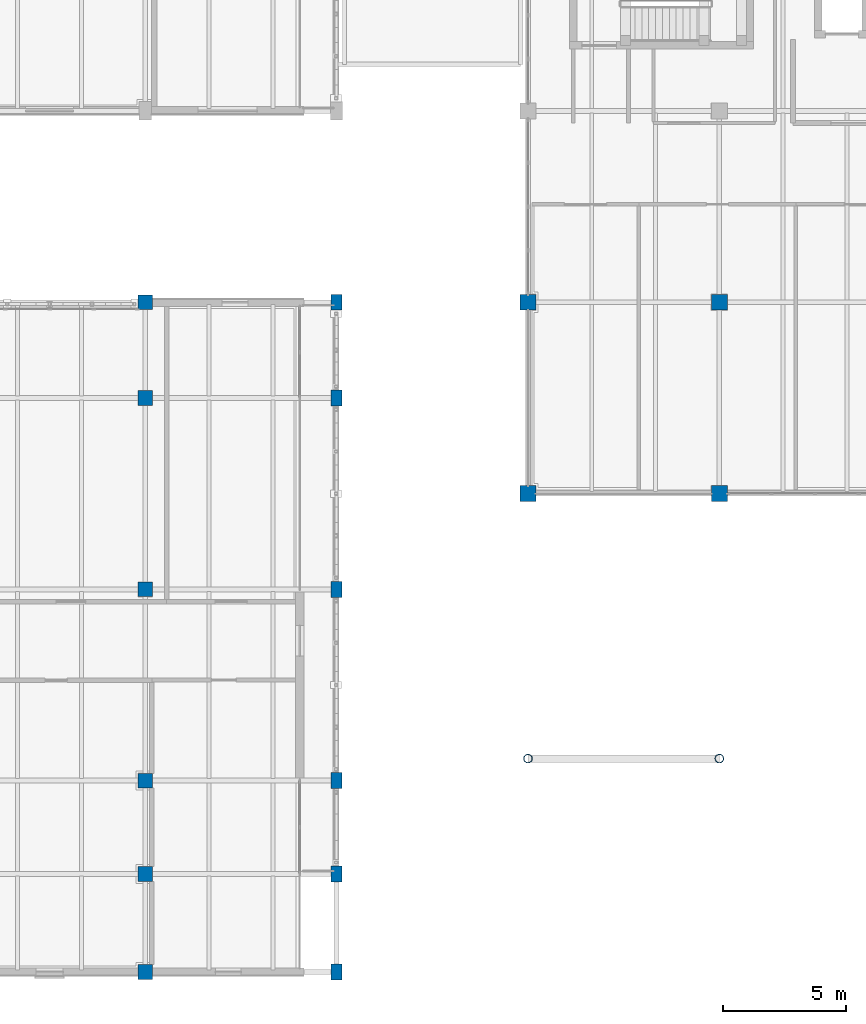
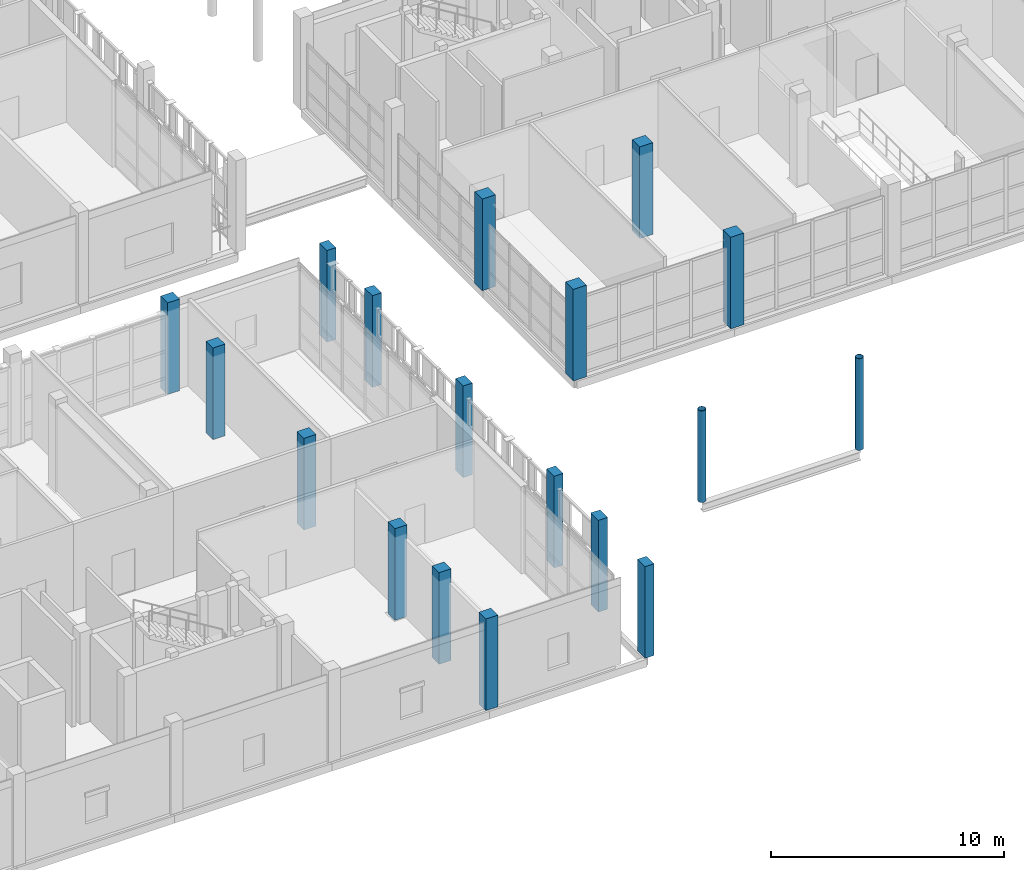
# One storey, part 3 of 138: 18 columns.
"""IFC4 building model written with IfcOpenShell, lengths in metres."""

from ifc_helpers import new_model, si_unit, direction, frame, origin, origin_2d, place, context, subcontext, project, spatial, rectangle, hollow_circle, extrude, material, material_profile, profile_set, type_object, element, save


model = new_model("IFC4")

# Units and contexts
model_context = context("Model", 3, precision=1e-05, world=origin(), true_north=direction((0.0, 1.0)))
body_context = subcontext(model_context, "Body", "Model", "MODEL_VIEW")
ifc_project = project(units=[si_unit("LENGTHUNIT", "METRE"), si_unit("AREAUNIT", "SQUARE_METRE"), si_unit("VOLUMEUNIT", "CUBIC_METRE"), si_unit("PLANEANGLEUNIT", "RADIAN"), si_unit("MASSUNIT", "GRAM", prefix="KILO")], contexts=[model_context])

# Site, building, storey
site_placement = place(None, origin())
site = spatial("IfcSite", under=ifc_project, at=site_placement, CompositionType="ELEMENT")
building_placement = place(site_placement, origin())
building = spatial("IfcBuilding", under=site, at=building_placement, Name="Celorna Specialist Clinic", CompositionType="ELEMENT")
storey_placement = place(building_placement, frame((0.0, 0.0, 4.800048828125)))
storey = spatial("IfcBuildingStorey", under=building, at=storey_placement, Name="L01", CompositionType="ELEMENT", Elevation=4.800048828125)

# Columns
ifc_material_1 = material(Name="Concrete C40/50", Category="concrete")
ifc_material_profile_1 = material_profile(ifc_material_1, rectangle(XDim=0.64990234375, YDim=0.64990234375, at=origin_2d()), Name="RC 650x650")
ifc_profile_set_1 = profile_set([ifc_material_profile_1], Name="Concrete C40/50")
column_type_1 = type_object("IfcColumnType", Name="CT-03", PredefinedType="COLUMN", material=ifc_profile_set_1)
for number, where, z_axis, x_axis, name in (
    (1, (54.60009765625, 19.5, 0.0), (0.0, 0.0, 1.0), (1.0, 0.0, 0.0), "Column CT-03 L01 X08/YE"),
    (2, (54.60009765625, 27.300048828125, 0.0), (0.0, 0.0, 1.0), (1.0, 0.0, 0.0), "Column CT-03 L01 X08/YF"),
    (3, (62.39990234375, 19.5, 0.0), (0.0, 0.0, 1.0), (1.0, 0.0, 0.0), "Column CT-03 L01 X09/YE"),
    (4, (62.39990234375, 27.300048828125, 0.0), (0.0, 0.0, 1.0), (1.0, 0.0, 0.0), "Column CT-03 L01 X09/YF"),
):
    element("IfcColumn", number, at=place(storey_placement, frame(where, z_axis=z_axis, x_axis=x_axis)), inside=storey, type_object=column_type_1, Name=name, PredefinedType="COLUMN", context=body_context, shape_type="SweptSolid", body=[
        extrude(rectangle(XDim=0.64990234375, YDim=0.64990234375, at=origin_2d()), origin(), (0.0, 0.0, 1.0), 4.800048828125),
    ])
ifc_material_profile_2 = material_profile(ifc_material_1, rectangle(XDim=0.60009765625, YDim=0.60009765625, at=origin_2d()), Name="RC 600x600")
ifc_profile_set_2 = profile_set([ifc_material_profile_2], Name="Concrete C40/50")
column_type_2 = type_object("IfcColumnType", Name="CT-04", PredefinedType="COLUMN", material=ifc_profile_set_2)
for number, where, z_axis, x_axis, name in (
    (5, (39.0, 0.0, 0.0), (0.0, 0.0, 1.0), (1.0, 0.0, 0.0), "Column CT-04 L01 X06/YA"),
    (6, (39.0, 4.0, 0.0), (0.0, 0.0, 1.0), (1.0, 0.0, 0.0), "Column CT-04 L01 X06/YA1"),
    (7, (39.0, 7.800048828125, 0.0), (0.0, 0.0, 1.0), (1.0, 0.0, 0.0), "Column CT-04 L01 X06/YC"),
    (8, (39.0, 15.60009765625, 0.0), (0.0, 0.0, 1.0), (1.0, 0.0, 0.0), "Column CT-04 L01 X06/YD"),
    (9, (39.0, 23.39990234375, 0.0), (0.0, 0.0, 1.0), (1.0, 0.0, 0.0), "Column CT-04 L01 X06/YE"),
    (10, (39.0, 27.300048828125, 0.0), (0.0, 0.0, 1.0), (1.0, 0.0, 0.0), "Column CT-04 L01 X06/YF"),
):
    element("IfcColumn", number, at=place(storey_placement, frame(where, z_axis=z_axis, x_axis=x_axis)), inside=storey, type_object=column_type_2, Name=name, PredefinedType="COLUMN", context=body_context, shape_type="SweptSolid", body=[
        extrude(rectangle(XDim=0.60009765625, YDim=0.60009765625, at=origin_2d()), origin(), (0.0, 0.0, 1.0), 4.800048828125),
    ])
ifc_material_profile_3 = material_profile(ifc_material_1, rectangle(XDim=0.449951171875, YDim=0.64990234375, at=origin_2d()), Name="RC 450x650")
ifc_profile_set_3 = profile_set([ifc_material_profile_3], Name="Concrete C40/50")
column_type_3 = type_object("IfcColumnType", Name="CT-10", PredefinedType="COLUMN", material=ifc_profile_set_3)
for number, where, z_axis, x_axis, name in (
    (11, (46.800048828125, 0.0, 0.0), (0.0, 0.0, 1.0), (1.0, 0.0, 0.0), "Column CT-10 L01 X07/YA"),
    (12, (46.800048828125, 4.0, 0.0), (0.0, 0.0, 1.0), (1.0, 0.0, 0.0), "Column CT-10 L01 X07/YA1"),
    (13, (46.800048828125, 7.800048828125, 0.0), (0.0, 0.0, 1.0), (1.0, 0.0, 0.0), "Column CT-10 L01 X07/YC"),
    (14, (46.800048828125, 15.60009765625, 0.0), (0.0, 0.0, 1.0), (1.0, 0.0, 0.0), "Column CT-10 L01 X07/YD"),
    (15, (46.800048828125, 23.39990234375, 0.0), (0.0, 0.0, 1.0), (1.0, 0.0, 0.0), "Column CT-10 L01 X07/YE"),
    (16, (46.800048828125, 27.300048828125, 0.0), (0.0, 0.0, 1.0), (1.0, 0.0, 0.0), "Column CT-10 L01 X07/YF"),
):
    element("IfcColumn", number, at=place(storey_placement, frame(where, z_axis=z_axis, x_axis=x_axis)), inside=storey, type_object=column_type_3, Name=name, PredefinedType="COLUMN", context=body_context, shape_type="SweptSolid", body=[
        extrude(rectangle(XDim=0.449951171875, YDim=0.64990234375, at=origin_2d()), origin(), (0.0, 0.0, 1.0), 4.800048828125),
    ])
ifc_material_2 = material(Name="Steel S355", Category="steel")
ifc_material_profile_4 = material_profile(ifc_material_2, hollow_circle(Radius=0.177734375, WallThickness=0.01611328125, at=origin_2d()), Name="CHS 355.6x16")
ifc_profile_set_4 = profile_set([ifc_material_profile_4], Name="Steel S355")
column_type_4 = type_object("IfcColumnType", Name="CT-11", PredefinedType="COLUMN", material=ifc_profile_set_4)
for number, where, z_axis, x_axis, name in (
    (17, (54.60009765625, 8.699951171875, 0.0), (0.0, 0.0, 1.0), (1.0, 0.0, 0.0), "Slim portico steel column CT-11 L01 X08/YC"),
    (18, (62.39990234375, 8.699951171875, 0.0), (0.0, 0.0, 1.0), (1.0, 0.0, 0.0), "Slim portico steel column CT-11 L01 X09/YC"),
):
    element("IfcColumn", number, at=place(storey_placement, frame(where, z_axis=z_axis, x_axis=x_axis)), inside=storey, type_object=column_type_4, Name=name, PredefinedType="COLUMN", context=body_context, shape_type="SweptSolid", body=[
        extrude(hollow_circle(Radius=0.177734375, WallThickness=0.01611328125, at=origin_2d()), origin(), (0.0, 0.0, 1.0), 4.800048828125),
    ])

save(model, "model.ifc")
